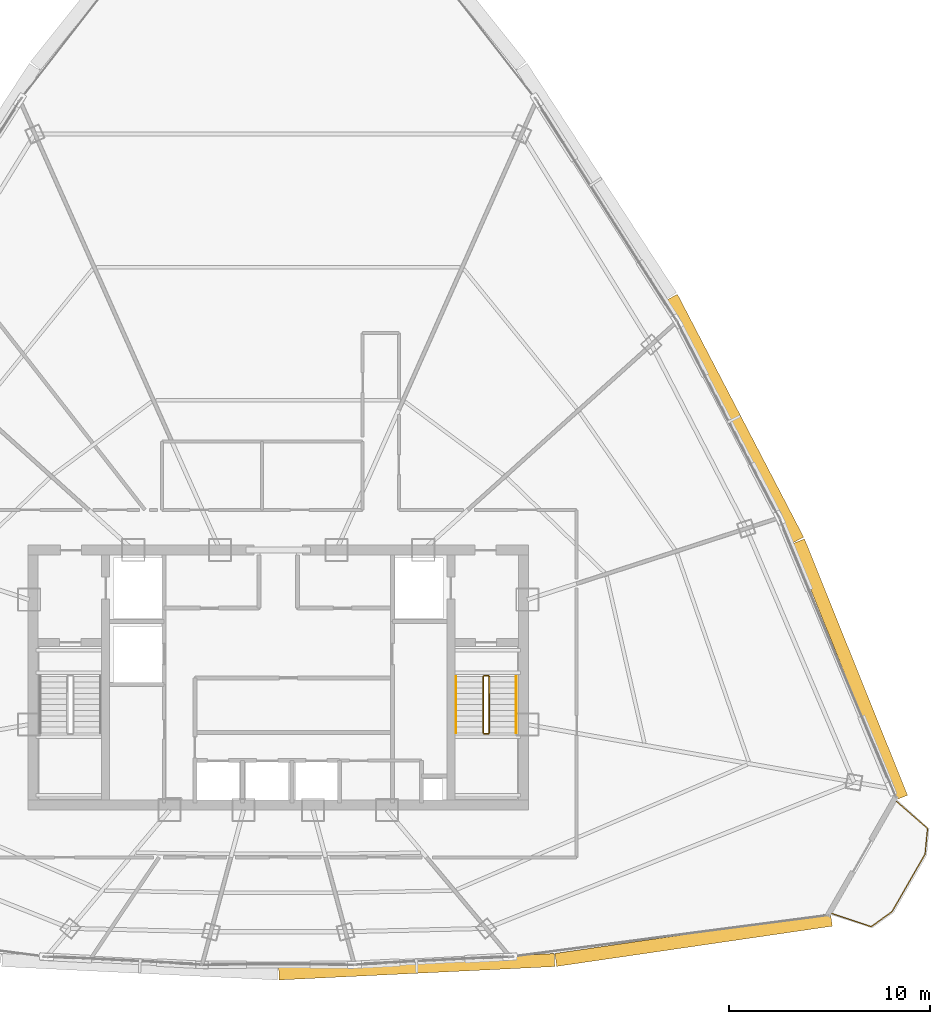
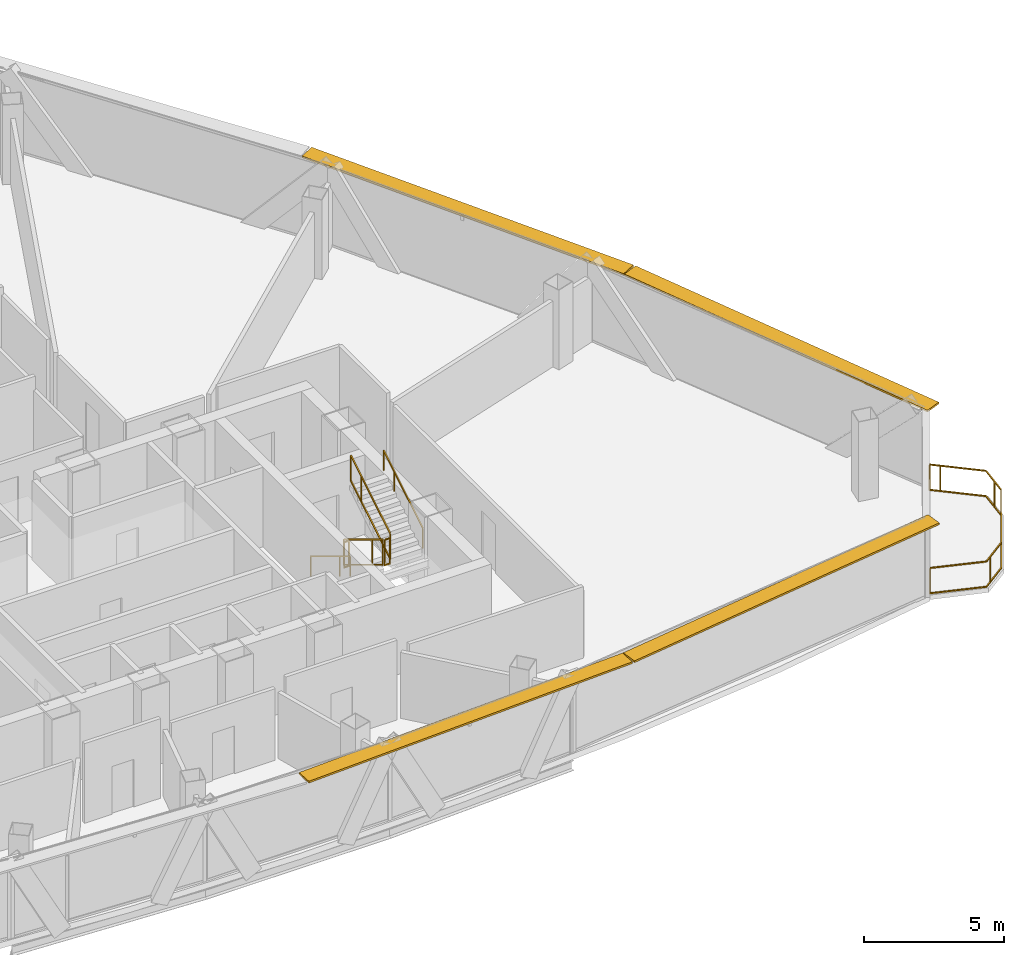
# One storey, part 34 of 35: 7 railings, 4 shading devices.
"""IFC4 building model written with IfcOpenShell, lengths in metres."""

from ifc_helpers import new_model, si_unit, direction, frame, origin, origin_2d, place, context, subcontext, project, spatial, rectangle, extrude, source, transform, mapped, material, layer, layer_set, type_object, element, save


model = new_model("IFC4")

# Units and contexts
model_context = context("Model", 3, precision=1e-05, world=origin(), true_north=direction((0.0, 1.0)))
body_context = subcontext(model_context, "Body", "Model", "MODEL_VIEW")
ifc_project = project(units=[si_unit("LENGTHUNIT", "METRE"), si_unit("AREAUNIT", "SQUARE_METRE"), si_unit("VOLUMEUNIT", "CUBIC_METRE"), si_unit("PLANEANGLEUNIT", "RADIAN"), si_unit("MASSUNIT", "GRAM", prefix="KILO"), si_unit("THERMODYNAMICTEMPERATUREUNIT", "KELVIN"), si_unit("POWERUNIT", "WATT")], contexts=[model_context])

# Site, building, storey
site_placement = place(None, origin())
site = spatial("IfcSite", under=ifc_project, at=site_placement, CompositionType="ELEMENT")
building_placement = place(site_placement, origin())
building = spatial("IfcBuilding", under=site, at=building_placement, Name="Yunzhuo Pagoda Commons", CompositionType="ELEMENT")
storey_placement = place(building_placement, frame((0.0, 0.0, 299.93994140625)))
storey = spatial("IfcBuildingStorey", under=building, at=storey_placement, Name="L75", CompositionType="ELEMENT", Elevation=299.93994140625)

# Railings
ifc_material = material(Name="Anodized aluminium 6063-T6", Category="aluminium")
railing_type_1 = type_object("IfcRailingType", Name="GR-ST2 Stair Well Guardrail 1160", PredefinedType="GUARDRAIL", material=ifc_material)
railing_1_placement = place(storey_placement, frame((58.199951171875, 33.89990234375, 0.169677734375)))
element("IfcRailing", 1, at=railing_1_placement, inside=storey, type_object=railing_type_1, Name="L75 ST2 stair guard 1", PredefinedType="GUARDRAIL", context=body_context, shape_type="SweptSolid", body=[
    extrude(rectangle(XDim=0.048095703125, YDim=0.048095703125, at=origin_2d()), frame((0.0, 0.0, 1.1259765625), z_axis=(0.0, -0.855406155521, 0.517957825596), x_axis=(1.0, 0.0, 0.0)), (0.0, 0.0, 1.0), 3.27294921875),
    extrude(rectangle(XDim=0.048095703125, YDim=0.048095703125, at=origin_2d()), frame((0.0, 0.0, 0.02392578125), z_axis=(0.0, -0.855406155521, 0.517957825596), x_axis=(1.0, 0.0, 0.0)), (0.0, 0.0, 1.0), 3.27294921875),
    extrude(rectangle(XDim=0.0419921875, YDim=0.0419921875, at=origin_2d()), origin(), (0.0, 0.0, 1.0), 1.101806640625),
    extrude(rectangle(XDim=0.0419921875, YDim=0.0419921875, at=origin_2d()), frame((0.0, -2.052978515625, 1.2431640625)), (0.0, 0.0, 1.0), 1.101806640625),
    extrude(rectangle(XDim=0.0419921875, YDim=0.0419921875, at=origin_2d()), frame((0.0, -2.7998046875, 1.6953125)), (0.0, 0.0, 1.0), 1.101806640625),
])
railing_2_placement = place(storey_placement, frame((58.25, 31.050048828125, 1.864990234375)))
element("IfcRailing", 2, at=railing_2_placement, inside=storey, type_object=railing_type_1, Name="L75 ST2 stair guard 2", PredefinedType="GUARDRAIL", context=body_context, shape_type="SweptSolid", body=[
    extrude(rectangle(XDim=0.048095703125, YDim=0.048095703125, at=origin_2d()), frame((0.0, 0.0, 1.1259765625), z_axis=(1.0, 0.0, 0.0), x_axis=(0.0, 1.0, 0.0)), (0.0, 0.0, 1.0), 0.199951171875),
    extrude(rectangle(XDim=0.048095703125, YDim=0.048095703125, at=origin_2d()), frame((0.0, 0.0, 0.02392578125), z_axis=(1.0, 0.0, 0.0), x_axis=(0.0, 1.0, 0.0)), (0.0, 0.0, 1.0), 0.199951171875),
    extrude(rectangle(XDim=0.0419921875, YDim=0.0419921875, at=origin_2d()), origin(), (0.0, 0.0, 1.0), 1.101806640625),
    extrude(rectangle(XDim=0.0419921875, YDim=0.0419921875, at=origin_2d()), frame((0.199951171875, 0.0, 0.0)), (0.0, 0.0, 1.0), 1.101806640625),
])
railing_3_placement = place(storey_placement, frame((58.5, 31.10009765625, 2.03466796875)))
element("IfcRailing", 3, at=railing_3_placement, inside=storey, type_object=railing_type_1, Name="L75 ST2 stair guard 3", PredefinedType="GUARDRAIL", context=body_context, shape_type="SweptSolid", body=[
    extrude(rectangle(XDim=0.048095703125, YDim=0.048095703125, at=origin_2d()), frame((0.0, 0.0, 1.1259765625), z_axis=(0.0, 0.855406155521, 0.517957825596), x_axis=(-1.0, 0.0, 0.0)), (0.0, 0.0, 1.0), 3.27294921875),
    extrude(rectangle(XDim=0.048095703125, YDim=0.048095703125, at=origin_2d()), frame((0.0, 0.0, 0.02392578125), z_axis=(0.0, 0.855406155521, 0.517957825596), x_axis=(-1.0, 0.0, 0.0)), (0.0, 0.0, 1.0), 3.27294921875),
    extrude(rectangle(XDim=0.0419921875, YDim=0.0419921875, at=origin_2d()), origin(), (0.0, 0.0, 1.0), 1.101806640625),
    extrude(rectangle(XDim=0.0419921875, YDim=0.0419921875, at=origin_2d()), frame((0.0, 2.052978515625, 1.2431640625)), (0.0, 0.0, 1.0), 1.101806640625),
    extrude(rectangle(XDim=0.0419921875, YDim=0.0419921875, at=origin_2d()), frame((0.0, 2.7998046875, 1.6953125)), (0.0, 0.0, 1.0), 1.101806640625),
])
railing_4_placement = place(storey_placement, frame((58.25, 33.949951171875, 0.0)))
element("IfcRailing", 4, at=railing_4_placement, inside=storey, type_object=railing_type_1, Name="L75 ST2 stair guard 4", PredefinedType="GUARDRAIL", context=body_context, shape_type="SweptSolid", body=[
    extrude(rectangle(XDim=0.048095703125, YDim=0.048095703125, at=origin_2d()), frame((0.0, 0.0, 1.1259765625), z_axis=(1.0, 0.0, 0.0), x_axis=(0.0, 1.0, 0.0)), (0.0, 0.0, 1.0), 0.199951171875),
    extrude(rectangle(XDim=0.048095703125, YDim=0.048095703125, at=origin_2d()), frame((0.0, 0.0, 0.02392578125), z_axis=(1.0, 0.0, 0.0), x_axis=(0.0, 1.0, 0.0)), (0.0, 0.0, 1.0), 0.199951171875),
    extrude(rectangle(XDim=0.0419921875, YDim=0.0419921875, at=origin_2d()), origin(), (0.0, 0.0, 1.0), 1.101806640625),
    extrude(rectangle(XDim=0.0419921875, YDim=0.0419921875, at=origin_2d()), frame((0.199951171875, 0.0, 0.0)), (0.0, 0.0, 1.0), 1.101806640625),
])
railing_type_2 = type_object("IfcRailingType", Name="HR-ST2 Stair Handrail 900", PredefinedType="HANDRAIL", material=ifc_material)
railing_5_placement = place(storey_placement, frame((56.85009765625, 33.89990234375, 0.169677734375)))
element("IfcRailing", 5, at=railing_5_placement, inside=storey, type_object=railing_type_2, Name="L75 ST2 stair handrail 1", PredefinedType="HANDRAIL", context=body_context, shape_type="SweptSolid", body=[
    extrude(rectangle(XDim=0.048095703125, YDim=0.048095703125, at=origin_2d()), frame((0.0, 0.0, 0.8759765625), z_axis=(0.0, -0.855406155521, 0.517957825596), x_axis=(1.0, 0.0, 0.0)), (0.0, 0.0, 1.0), 3.27294921875),
    extrude(rectangle(XDim=0.0419921875, YDim=0.0419921875, at=origin_2d()), origin(), (0.0, 0.0, 1.0), 0.851806640625),
    extrude(rectangle(XDim=0.0419921875, YDim=0.0419921875, at=origin_2d()), frame((0.0, -2.052978515625, 1.2431640625)), (0.0, 0.0, 1.0), 0.851806640625),
    extrude(rectangle(XDim=0.0419921875, YDim=0.0419921875, at=origin_2d()), frame((0.0, -2.7998046875, 1.6953125)), (0.0, 0.0, 1.0), 0.851806640625),
])
railing_6_placement = place(storey_placement, frame((59.85009765625, 31.10009765625, 2.03466796875)))
element("IfcRailing", 6, at=railing_6_placement, inside=storey, type_object=railing_type_2, Name="L75 ST2 stair handrail 2", PredefinedType="HANDRAIL", context=body_context, shape_type="SweptSolid", body=[
    extrude(rectangle(XDim=0.048095703125, YDim=0.048095703125, at=origin_2d()), frame((0.0, 0.0, 0.8759765625), z_axis=(0.0, 0.855406155521, 0.517957825596), x_axis=(-1.0, 0.0, 0.0)), (0.0, 0.0, 1.0), 3.27294921875),
    extrude(rectangle(XDim=0.0419921875, YDim=0.0419921875, at=origin_2d()), origin(), (0.0, 0.0, 1.0), 0.851806640625),
    extrude(rectangle(XDim=0.0419921875, YDim=0.0419921875, at=origin_2d()), frame((0.0, 2.052978515625, 1.2431640625)), (0.0, 0.0, 1.0), 0.851806640625),
    extrude(rectangle(XDim=0.0419921875, YDim=0.0419921875, at=origin_2d()), frame((0.0, 2.7998046875, 1.6953125)), (0.0, 0.0, 1.0), 0.851806640625),
])
railing_type_3 = type_object("IfcRailingType", Name="RL-BAL1 Exterior Terrace & Balcony Balustrade 1150", PredefinedType="BALUSTRADE", material=ifc_material)
railing_7_placement = place(storey_placement, frame((75.566650390625, 22.10498046875, 0.0)))
element("IfcRailing", 7, at=railing_7_placement, inside=storey, type_object=railing_type_3, Name="L75 corner balcony balustrade V2", PredefinedType="BALUSTRADE", context=body_context, shape_type="SweptSolid", body=[
    extrude(rectangle(XDim=0.048095703125, YDim=0.048095703125, at=origin_2d()), frame((0.0, 0.0, 1.1259765625), z_axis=(0.947383113487, -0.320101915457, 0.0), x_axis=(0.320101915457, 0.947383113487, 0.0)), (0.0, 0.0, 1.0), 2.059326171875),
    extrude(rectangle(XDim=0.048095703125, YDim=0.048095703125, at=origin_2d()), frame((0.0, 0.0, 0.02392578125), z_axis=(0.947383113487, -0.320101915457, 0.0), x_axis=(0.320101915457, 0.947383113487, 0.0)), (0.0, 0.0, 1.0), 2.059326171875),
    extrude(rectangle(XDim=0.048095703125, YDim=0.048095703125, at=origin_2d()), frame((1.950927734375, -0.6591796875, 1.1259765625), z_axis=(0.811274857139, 0.584664952066, 0.0), x_axis=(-0.584664952066, 0.811274857139, 0.0)), (0.0, 0.0, 1.0), 1.285400390625),
    extrude(rectangle(XDim=0.048095703125, YDim=0.048095703125, at=origin_2d()), frame((1.950927734375, -0.6591796875, 0.02392578125), z_axis=(0.811274857139, 0.584664952066, 0.0), x_axis=(-0.584664952066, 0.811274857139, 0.0)), (0.0, 0.0, 1.0), 1.285400390625),
    extrude(rectangle(XDim=0.048095703125, YDim=0.048095703125, at=origin_2d()), frame((2.99365234375, 0.09228515625, 1.1259765625), z_axis=(0.497913868519, 0.867226486874, 0.0), x_axis=(-0.867226486874, 0.497913868519, 0.0)), (0.0, 0.0, 1.0), 3.30126953125),
    extrude(rectangle(XDim=0.048095703125, YDim=0.048095703125, at=origin_2d()), frame((2.99365234375, 0.09228515625, 0.02392578125), z_axis=(0.497913868519, 0.867226486874, 0.0), x_axis=(-0.867226486874, 0.497913868519, 0.0)), (0.0, 0.0, 1.0), 3.30126953125),
    extrude(rectangle(XDim=0.048095703125, YDim=0.048095703125, at=origin_2d()), frame((4.637451171875, 2.955322265625, 1.1259765625), z_axis=(0.095929580564, 0.995388123082, 0.0), x_axis=(-0.995388123082, 0.095929580564, 0.0)), (0.0, 0.0, 1.0), 1.28515625),
    extrude(rectangle(XDim=0.048095703125, YDim=0.048095703125, at=origin_2d()), frame((4.637451171875, 2.955322265625, 0.02392578125), z_axis=(0.095929580564, 0.995388123082, 0.0), x_axis=(-0.995388123082, 0.095929580564, 0.0)), (0.0, 0.0, 1.0), 1.28515625),
    extrude(rectangle(XDim=0.048095703125, YDim=0.048095703125, at=origin_2d()), frame((4.7607421875, 4.234619140625, 1.1259765625), z_axis=(-0.753933830692, 0.656950362614, 0.0), x_axis=(-0.656950362614, -0.753933830692, 0.0)), (0.0, 0.0, 1.0), 2.05908203125),
    extrude(rectangle(XDim=0.048095703125, YDim=0.048095703125, at=origin_2d()), frame((4.7607421875, 4.234619140625, 0.02392578125), z_axis=(-0.753933830692, 0.656950362614, 0.0), x_axis=(-0.656950362614, -0.753933830692, 0.0)), (0.0, 0.0, 1.0), 2.05908203125),
    extrude(rectangle(XDim=0.0419921875, YDim=0.0419921875, at=origin_2d()), origin(), (0.0, 0.0, 1.0), 1.101806640625),
    extrude(rectangle(XDim=0.0419921875, YDim=0.0419921875, at=origin_2d()), frame((2.227294921875, -0.4599609375, 0.0)), (0.0, 0.0, 1.0), 1.101806640625),
    extrude(rectangle(XDim=0.0419921875, YDim=0.0419921875, at=origin_2d()), frame((3.71826171875, 1.3544921875, 0.0)), (0.0, 0.0, 1.0), 1.101806640625),
    extrude(rectangle(XDim=0.0419921875, YDim=0.0419921875, at=origin_2d()), frame((4.690673828125, 3.5068359375, 0.0)), (0.0, 0.0, 1.0), 1.101806640625),
    extrude(rectangle(XDim=0.0419921875, YDim=0.0419921875, at=origin_2d()), frame((3.50244140625, 5.3310546875, 0.0)), (0.0, 0.0, 1.0), 1.101806640625),
    extrude(rectangle(XDim=0.0419921875, YDim=0.0419921875, at=origin_2d()), frame((3.208251953125, 5.58740234375, 0.0)), (0.0, 0.0, 1.0), 1.101806640625),
])

# Shading devices
ifc_layer = layer(ifc_material, 0.080078125)
ifc_layer_set = layer_set([ifc_layer], Name="Anodized aluminium 6063-T6")
shading_device_type = type_object("IfcShadingDeviceType", Name="SH-SUN1 Pagoda Horizontal Sunshade Eave 650", PredefinedType="USERDEFINED", material=ifc_layer_set)
shared_shape_1 = source(origin(), body_context, "Body", "SweptSolid", [
    extrude(rectangle(XDim=13.869384765625, YDim=0.64990234375, at=origin_2d()), origin(), (0.0, 0.0, 1.0), 0.080078125),
])
shading_device_1_placement = place(storey_placement, frame((68.6796875, 20.79345703125, 3.39013671875), z_axis=(0.0, 0.0, 1.0), x_axis=(0.989510666697, 0.144459823108, 0.0)))
element("IfcShadingDevice", 8, at=shading_device_1_placement, inside=storey, type_object=shading_device_type, Name="L75 horizontal pagoda sunshade eave F1.4", ObjectType="SUNSHADE", PredefinedType="USERDEFINED", context=body_context, shape_type="MappedRepresentation", body=[
    mapped(shared_shape_1, transform((0.0, 0.0, 0.0), scale=1.0)),
])
shared_shape_2 = source(origin(), body_context, "Body", "SweptSolid", [
    extrude(rectangle(XDim=13.73974609375, YDim=0.64990234375, at=origin_2d()), origin(), (0.0, 0.0, 1.0), 0.080078125),
])
shading_device_2_placement = place(storey_placement, frame((54.893310546875, 19.45166015625, 3.39013671875), z_axis=(0.0, 0.0, 1.0), x_axis=(0.998818043775, 0.04860571396, 0.0)))
element("IfcShadingDevice", 9, at=shading_device_2_placement, inside=storey, type_object=shading_device_type, Name="L75 horizontal pagoda sunshade eave F1.3", ObjectType="SUNSHADE", PredefinedType="USERDEFINED", context=body_context, shape_type="MappedRepresentation", body=[
    mapped(shared_shape_2, transform((0.0, 0.0, 0.0), scale=1.0)),
])
shared_shape_3 = source(origin(), body_context, "Body", "SweptSolid", [
    extrude(rectangle(XDim=13.7578125, YDim=0.64990234375, at=origin_2d()), origin(), (0.0, 0.0, 1.0), 0.080078125),
])
shading_device_3_placement = place(storey_placement, frame((76.464111328125, 34.252197265625, 3.39013671875), z_axis=(0.0, 0.0, 1.0), x_axis=(-0.372987782576, 0.927836253899, 0.0)))
element("IfcShadingDevice", 10, at=shading_device_3_placement, inside=storey, type_object=shading_device_type, Name="L75 horizontal pagoda sunshade eave F2.1", ObjectType="SUNSHADE", PredefinedType="USERDEFINED", context=body_context, shape_type="MappedRepresentation", body=[
    mapped(shared_shape_3, transform((0.0, 0.0, 0.0), scale=1.0)),
])
shared_shape_4 = source(origin(), body_context, "Body", "SweptSolid", [
    extrude(rectangle(XDim=13.627197265625, YDim=0.64990234375, at=origin_2d()), origin(), (0.0, 0.0, 1.0), 0.080078125),
])
shading_device_4_placement = place(storey_placement, frame((70.7294921875, 46.73779296875, 3.39013671875), z_axis=(0.0, 0.0, 1.0), x_axis=(-0.461206683033, 0.88729273384, 0.0)))
element("IfcShadingDevice", 11, at=shading_device_4_placement, inside=storey, type_object=shading_device_type, Name="L75 horizontal pagoda sunshade eave F2.2", ObjectType="SUNSHADE", PredefinedType="USERDEFINED", context=body_context, shape_type="MappedRepresentation", body=[
    mapped(shared_shape_4, transform((0.0, 0.0, 0.0), scale=1.0)),
])

save(model, "model.ifc")
